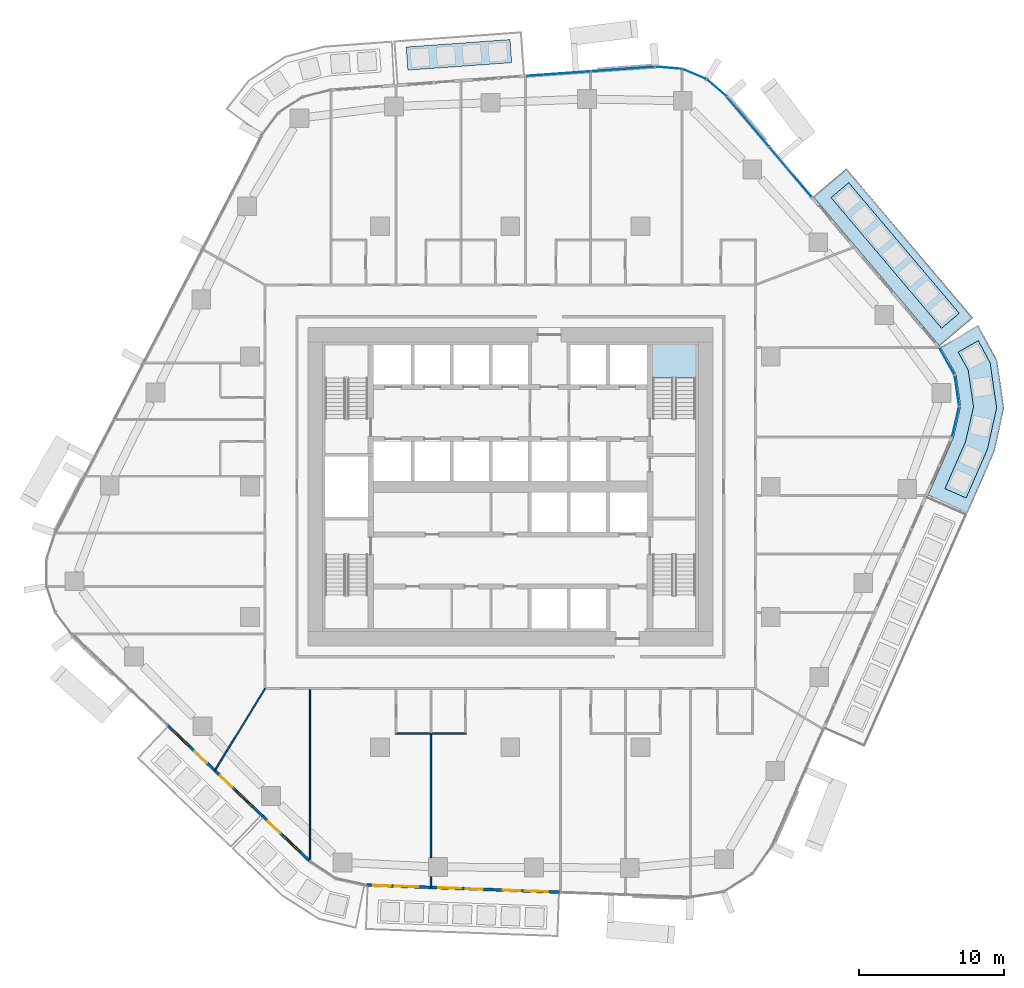
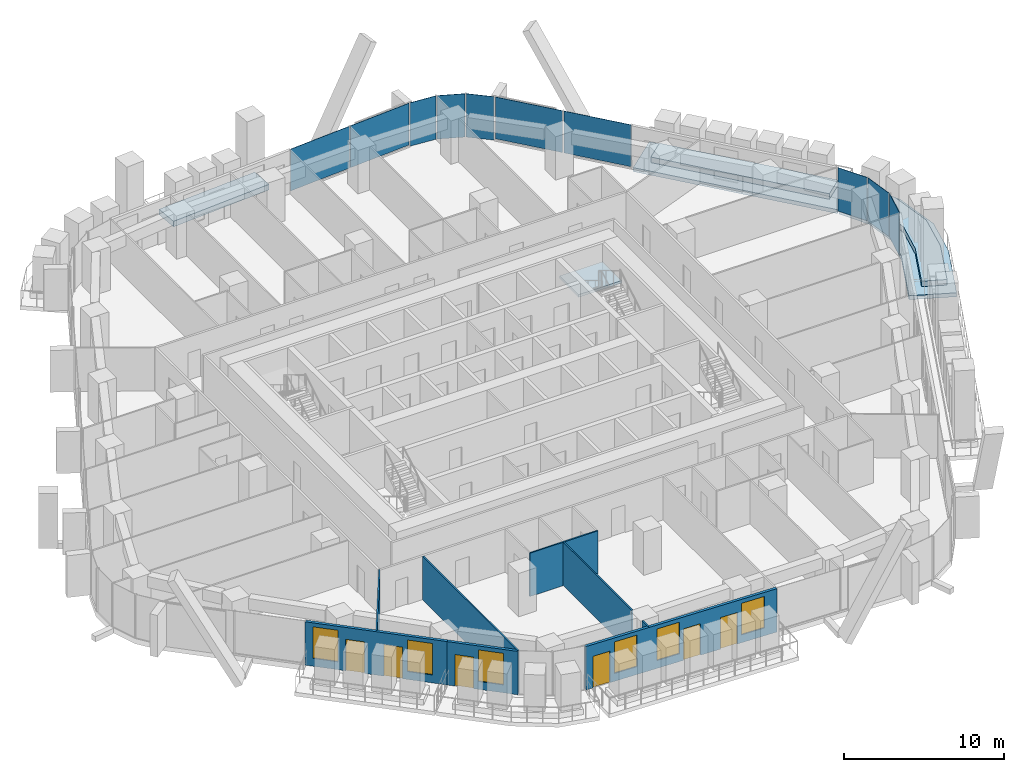
# One storey, part 11 of 24: 10 plates, 8 walls, 6 doors, 6 slabs, 6 windows, 12 openings, 5 elements without a shape of their own.
"""IFC4 building model written with IfcOpenShell, lengths in metres."""

from ifc_helpers import new_model, si_unit, direction, frame, frame_2d, origin, origin_2d, place, context, subcontext, project, spatial, polyline, rectangle, outline, extrude, material, layer, layer_set, type_object, element, fill, aggregate, save


model = new_model("IFC4")

# Units and contexts
model_context = context("Model", 3, precision=1e-05, world=origin(), true_north=direction((0.0, 1.0)))
body_context = subcontext(model_context, "Body", "Model", "MODEL_VIEW")
ifc_project = project(units=[si_unit("LENGTHUNIT", "METRE"), si_unit("AREAUNIT", "SQUARE_METRE"), si_unit("VOLUMEUNIT", "CUBIC_METRE"), si_unit("PLANEANGLEUNIT", "RADIAN"), si_unit("MASSUNIT", "GRAM", prefix="KILO")], contexts=[model_context])

# Site, building, storey
site_placement = place(None, origin())
site = spatial("IfcSite", under=ifc_project, at=site_placement, CompositionType="ELEMENT")
building_placement = place(site_placement, origin())
building = spatial("IfcBuilding", under=site, at=building_placement, Name="Dongbaek Canopy Tower", CompositionType="ELEMENT")
storey_placement = place(building_placement, frame((0.0, 0.0, 113.699951171875)))
storey = spatial("IfcBuildingStorey", under=building, at=storey_placement, Name="L24", CompositionType="ELEMENT", Elevation=113.699951171875)

# Slabs
ifc_material_1 = material(Name="Concrete C40/50", Category="concrete")
ifc_layer_1 = layer(ifc_material_1, 0.300048828125)
ifc_layer_set_1 = layer_set([ifc_layer_1], Name="Balcony slab 300")
slab_type_1 = type_object("IfcSlabType", Name="Balcony slab 300", PredefinedType="FLOOR", material=ifc_layer_set_1)
slab_1_placement = place(storey_placement, frame((0.0, 0.0, -0.300048828125)))
element("IfcSlab", 1, at=slab_1_placement, inside=storey, type_object=slab_type_1, Name="Balcony L24 1", PredefinedType="FLOOR", context=body_context, shape_type="SweptSolid", body=[
    extrude(outline(polyline([(29.67626953125, 9.7314453125), (20.938720703125, 20.0546875), (23.228515625, 21.99267578125), (31.966064453125, 11.669677734375), (29.67626953125, 9.7314453125)])), origin(), (0.0, 0.0, 1.0), 0.300048828125),
])
slab_2_placement = place(storey_placement, frame((0.0, 0.0, -0.300048828125)))
element("IfcSlab", 2, at=slab_2_placement, inside=storey, type_object=slab_type_1, Name="Balcony L24 6", PredefinedType="FLOOR", context=body_context, shape_type="SweptSolid", body=[
    extrude(outline(polyline([(28.859130859375, -0.596435546875), (30.619384765625, 3.397216796875), (31.123291015625, 5.561279296875), (30.80517578125, 7.760498046875), (29.733154296875, 9.649658203125), (32.342529296875, 11.13037109375), (33.6435546875, 8.732421875), (34.12060546875, 5.43359375), (33.465087890625, 2.44775390625), (31.6044921875, -1.806396484375), (28.859130859375, -0.596435546875)])), origin(), (0.0, 0.0, 1.0), 0.300048828125),
])

# Curtain wall, plates
ifc_material_2 = material(Name="Aluminium 6063-T6 pale anodised", Category="aluminium")
ifc_layer_2 = layer(ifc_material_2, 0.199951171875)
ifc_layer_set_2 = layer_set([ifc_layer_2], Name="CW-1 unitised tower curtain wall")
curtain_wall_type = type_object("IfcCurtainWallType", Name="CW-1 unitised tower curtain wall", PredefinedType="NOTDEFINED", material=ifc_layer_set_2)
curtain_wall_1_placement = place(storey_placement, origin())
curtain_wall_1 = element("IfcCurtainWall", 3, at=curtain_wall_1_placement, inside=storey, type_object=curtain_wall_type, Name="CW-1 curtain wall K0.1", PredefinedType="NOTDEFINED")
ifc_material_3 = material(Name="Clear laminated glass", Category="glass")
ifc_layer_3 = layer(ifc_material_3, 0.028076171875)
ifc_layer_set_3 = layer_set([ifc_layer_3], Name="CW-1 glazed panel 28")
plate_type = type_object("IfcPlateType", Name="CW-1 glazed panel 28", PredefinedType="CURTAIN_PANEL", material=ifc_layer_set_3)
plate_1_placement = place(storey_placement, frame((30.77294921875, 4.497314453125, 0.0), z_axis=(0.0, 0.0, 1.0), x_axis=(0.226863171729, 0.973926640622, 0.0)))
plate_1 = element("IfcPlate", 4, at=plate_1_placement, type_object=plate_type, Name="CW-1 panel K0.1.1.1", PredefinedType="CURTAIN_PANEL", context=body_context, shape_type="SweptSolid", body=[
    extrude(rectangle(XDim=2.10986328125, YDim=0.028076171875, at=origin_2d()), origin(), (0.0, 0.0, 1.0), 3.300048828125),
])
plate_2_placement = place(storey_placement, frame((30.865478515625, 6.646728515625, 0.0), z_axis=(0.0, 0.0, 1.0), x_axis=(-0.143155516293, 0.989700206201, 0.0)))
plate_2 = element("IfcPlate", 5, at=plate_2_placement, type_object=plate_type, Name="CW-1 panel K0.1.2.1", PredefinedType="CURTAIN_PANEL", context=body_context, shape_type="SweptSolid", body=[
    extrude(rectangle(XDim=2.100341796875, YDim=0.028076171875, at=origin_2d()), origin(), (0.0, 0.0, 1.0), 3.300048828125),
])
plate_3_placement = place(storey_placement, frame((30.167724609375, 8.681640625, 0.0), z_axis=(0.0, 0.0, 1.0), x_axis=(-0.493538616507, 0.869723883779, 0.0)))
plate_3 = element("IfcPlate", 6, at=plate_3_placement, type_object=plate_type, Name="CW-1 panel K0.1.3.1", PredefinedType="CURTAIN_PANEL", context=body_context, shape_type="SweptSolid", body=[
    extrude(rectangle(XDim=2.10986328125, YDim=0.028076171875, at=origin_2d()), origin(), (0.0, 0.0, 1.0), 3.300048828125),
])
aggregate(curtain_wall_1, [plate_1, plate_2, plate_3])

curtain_wall_2_placement = place(storey_placement, origin())
curtain_wall_2 = element("IfcCurtainWall", 7, at=curtain_wall_2_placement, inside=storey, type_object=curtain_wall_type, Name="CW-1 curtain wall F0.1", PredefinedType="NOTDEFINED")
plate_4_placement = place(storey_placement, frame((19.363037109375, 21.761474609375, 0.1201171875), z_axis=(0.0, 0.0, 1.0), x_axis=(-0.646056104712, 0.763289924972, 0.0)))
plate_4 = element("IfcPlate", 8, at=plate_4_placement, type_object=plate_type, Name="CW-1 panel F0.1.1.1", PredefinedType="CURTAIN_PANEL", context=body_context, shape_type="SweptSolid", body=[
    extrude(rectangle(XDim=4.45751953125, YDim=0.028076171875, at=origin_2d()), origin(), (0.0, 0.0, 1.0), 3.179931640625),
])
plate_5_placement = place(storey_placement, frame((16.431396484375, 25.224853515625, 0.1201171875), z_axis=(0.0, 0.0, 1.0), x_axis=(-0.646056104712, 0.763289924972, 0.0)))
plate_5 = element("IfcPlate", 9, at=plate_5_placement, type_object=plate_type, Name="CW-1 panel F0.1.2.1", PredefinedType="CURTAIN_PANEL", context=body_context, shape_type="SweptSolid", body=[
    extrude(rectangle(XDim=4.44970703125, YDim=0.028076171875, at=origin_2d()), origin(), (0.0, 0.0, 1.0), 3.179931640625),
])
aggregate(curtain_wall_2, [plate_4, plate_5])

curtain_wall_3_placement = place(storey_placement, origin())
curtain_wall_3 = element("IfcCurtainWall", 10, at=curtain_wall_3_placement, inside=storey, type_object=curtain_wall_type, Name="CW-1 curtain wall K1.1", PredefinedType="NOTDEFINED")
plate_6_placement = place(storey_placement, frame((14.266845703125, 27.55908203125, 0.0), z_axis=(0.0, 0.0, 1.0), x_axis=(-0.757258468525, 0.653115312825, 0.0)))
plate_6 = element("IfcPlate", 11, at=plate_6_placement, type_object=plate_type, Name="CW-1 panel K1.1.1.1", PredefinedType="CURTAIN_PANEL", context=body_context, shape_type="SweptSolid", body=[
    extrude(rectangle(XDim=1.76513671875, YDim=0.028076171875, at=origin_2d()), origin(), (0.0, 0.0, 1.0), 3.300048828125),
])
plate_7_placement = place(storey_placement, frame((12.71826171875, 28.519775390625, 0.0), z_axis=(0.0, 0.0, 1.0), x_axis=(-0.92172443786, 0.387845408186, 0.0)))
plate_7 = element("IfcPlate", 12, at=plate_7_placement, type_object=plate_type, Name="CW-1 panel K1.1.2.1", PredefinedType="CURTAIN_PANEL", context=body_context, shape_type="SweptSolid", body=[
    extrude(rectangle(XDim=1.757080078125, YDim=0.028076171875, at=origin_2d()), origin(), (0.0, 0.0, 1.0), 3.300048828125),
])
plate_8_placement = place(storey_placement, frame((10.948486328125, 28.955322265625, 0.0), z_axis=(0.0, 0.0, 1.0), x_axis=(-0.996398614139, 0.084792698641, 0.0)))
plate_8 = element("IfcPlate", 13, at=plate_8_placement, type_object=plate_type, Name="CW-1 panel K1.1.3.1", PredefinedType="CURTAIN_PANEL", context=body_context, shape_type="SweptSolid", body=[
    extrude(rectangle(XDim=1.76513671875, YDim=0.028076171875, at=origin_2d()), origin(), (0.0, 0.0, 1.0), 3.300048828125),
])
aggregate(curtain_wall_3, [plate_6, plate_7, plate_8])

curtain_wall_4_placement = place(storey_placement, origin())
curtain_wall_4 = element("IfcCurtainWall", 14, at=curtain_wall_4_placement, inside=storey, type_object=curtain_wall_type, Name="CW-1 curtain wall F1.1", PredefinedType="NOTDEFINED")
plate_9_placement = place(storey_placement, frame((7.7880859375, 28.87255859375, 0.1201171875), z_axis=(0.0, 0.0, 1.0), x_axis=(-0.997423165551, -0.071742796309, 0.0)))
plate_9 = element("IfcPlate", 15, at=plate_9_placement, type_object=plate_type, Name="CW-1 panel F1.1.1.1", PredefinedType="CURTAIN_PANEL", context=body_context, shape_type="SweptSolid", body=[
    extrude(rectangle(XDim=4.40576171875, YDim=0.028076171875, at=origin_2d()), origin(), (0.0, 0.0, 1.0), 3.179931640625),
])
plate_10_placement = place(storey_placement, frame((3.305908203125, 28.55029296875, 0.1201171875), z_axis=(0.0, 0.0, 1.0), x_axis=(-0.997423165551, -0.071742796309, 0.0)))
plate_10 = element("IfcPlate", 16, at=plate_10_placement, type_object=plate_type, Name="CW-1 panel F1.1.2.1", PredefinedType="CURTAIN_PANEL", context=body_context, shape_type="SweptSolid", body=[
    extrude(rectangle(XDim=4.41357421875, YDim=0.028076171875, at=origin_2d()), origin(), (0.0, 0.0, 1.0), 3.179931640625),
])
aggregate(curtain_wall_4, [plate_9, plate_10])

# Stair, slab
ifc_material_4 = material(Name="Concrete C40/50", Category="concrete")
stair_type = type_object("IfcStairType", Name="Core exit stair", PredefinedType="HALF_TURN_STAIR", material=ifc_material_4)
stair_placement = place(storey_placement, origin())
stair = element("IfcStair", 17, at=stair_placement, inside=storey, type_object=stair_type, Name="L24 exit stair A", PredefinedType="HALF_TURN_STAIR")
ifc_material_5 = material(Name="Concrete C40/50", Category="concrete")
ifc_layer_4 = layer(ifc_material_5, 0.199951171875)
ifc_layer_set_4 = layer_set([ifc_layer_4], Name="Core stair landing 200")
slab_type_2 = type_object("IfcSlabType", Name="Core stair landing 200", PredefinedType="LANDING", material=ifc_layer_set_4)
slab_3_placement = place(storey_placement, frame((0.0, 0.0, 1.650146484375)))
slab_3 = element("IfcSlab", 18, at=slab_3_placement, type_object=slab_type_2, Name="ST-A landing 1", PredefinedType="LANDING", context=body_context, shape_type="SweptSolid", body=[
    extrude(outline(polyline([(12.875, 7.5), (12.875, 9.875), (9.77490234375, 9.875), (9.77490234375, 7.5), (12.875, 7.5)])), origin(), (0.0, 0.0, 1.0), 0.199951171875),
])
aggregate(stair, [slab_3])

# Slabs
ifc_material_6 = material(Name="Reinforced concrete C40/50 planter box with soil", Category="concrete")
ifc_layer_5 = layer(ifc_material_6, 0.419921875)
ifc_layer_set_5 = layer_set([ifc_layer_5], Name="Terrace planter box 1600 x 420")
slab_type_3 = type_object("IfcSlabType", Name="Terrace planter box 1600 x 420", PredefinedType="USERDEFINED", material=ifc_layer_set_5)
slab_4_placement = place(storey_placement, origin())
element("IfcSlab", 19, at=slab_4_placement, inside=storey, type_object=slab_type_3, Name="Balcony planter L24 1", ObjectType="PLANTER", PredefinedType="USERDEFINED", context=body_context, shape_type="SweptSolid", body=[
    extrude(outline(polyline([(29.806396484375, 10.955078125), (22.167236328125, 19.980712890625), (23.388427734375, 21.014404296875), (31.02783203125, 11.98876953125), (29.806396484375, 10.955078125)])), origin(), (0.0, 0.0, 1.0), 0.420166015625),
])
slab_5_placement = place(storey_placement, origin())
element("IfcSlab", 20, at=slab_5_placement, inside=storey, type_object=slab_type_3, Name="Balcony planter L24 2", ObjectType="PLANTER", PredefinedType="USERDEFINED", context=body_context, shape_type="SweptSolid", body=[
    extrude(outline(polyline([(0.09423828125, 29.311767578125), (-7.08251953125, 28.795654296875), (-7.197265625, 30.391357421875), (-0.0205078125, 30.90771484375), (0.09423828125, 29.311767578125)])), origin(), (0.0, 0.0, 1.0), 0.420166015625),
])
slab_6_placement = place(storey_placement, origin())
element("IfcSlab", 21, at=slab_6_placement, inside=storey, type_object=slab_type_3, Name="Balcony planter L24 6", ObjectType="PLANTER", PredefinedType="USERDEFINED", context=body_context, shape_type="SweptSolid", body=[
    extrude(outline(polyline([(30.03662109375, -0.1318359375), (31.463623046875, 3.115478515625), (32.0126953125, 5.5234375), (31.647216796875, 8.048828125), (30.951416015625, 9.30615234375), (32.343017578125, 10.095947265625), (33.1611328125, 8.567138671875), (33.611083984375, 5.455322265625), (32.9814453125, 2.609130859375), (31.500732421875, -0.777099609375), (30.03662109375, -0.1318359375)])), origin(), (0.0, 0.0, 1.0), 0.420166015625),
])

# Walls
ifc_material_7 = material(Name="Gypsum board partition, steel stud, 2 x 12.5 mm board", Category="steel")
ifc_layer_6 = layer(ifc_material_7, 0.10009765625)
ifc_layer_set_6 = layer_set([ifc_layer_6], Name="Partition 100 gypsum board")
wall_type_1 = type_object("IfcWallType", Name="Partition 100 gypsum board", PredefinedType="PARTITIONING", material=ifc_layer_set_6)
wall_1_placement = place(storey_placement, frame((-7.941650390625, -17.050048828125, 0.0), z_axis=(0.0, 0.0, 1.0), x_axis=(1.0, 0.0, 0.0)))
element("IfcWall", 22, at=wall_1_placement, inside=storey, type_object=wall_type_1, Name="Partition", PredefinedType="PARTITIONING", context=body_context, shape_type="SweptSolid", body=[
    extrude(rectangle(XDim=4.900146484375, YDim=0.10009765625, at=frame_2d((2.4501953125, 0.0))), origin(), (0.0, 0.0, 1.0), 3.300048828125),
])
wall_2_placement = place(storey_placement, frame((-20.415283203125, -19.595703125, 0.0), z_axis=(0.0, 0.0, 1.0), x_axis=(0.5230874117, 0.85227903865, 0.0)))
element("IfcWall", 23, at=wall_2_placement, inside=storey, type_object=wall_type_1, Name="Partition", PredefinedType="PARTITIONING", context=body_context, shape_type="SweptSolid", body=[
    extrude(rectangle(XDim=6.624267578125, YDim=0.10009765625, at=frame_2d((3.31201171875, 0.0))), origin(), (0.0, 0.0, 1.0), 3.300048828125),
])
wall_3_placement = place(storey_placement, frame((-5.491943359375, -27.673095703125, 0.0), z_axis=(0.0, 0.0, 1.0), x_axis=(0.0, 1.0, 0.0)))
element("IfcWall", 24, at=wall_3_placement, inside=storey, type_object=wall_type_1, Name="Partition", PredefinedType="PARTITIONING", context=body_context, shape_type="SweptSolid", body=[
    extrude(rectangle(XDim=0.733154296875, YDim=0.10009765625, at=frame_2d((0.36669921875, 0.0))), origin(), (0.0, 0.0, 1.0), 3.300048828125),
])
wall_4_placement = place(storey_placement, frame((-5.491943359375, -25.639892578125, 0.0), z_axis=(0.0, 0.0, 1.0), x_axis=(0.0, 1.0, 0.0)))
element("IfcWall", 25, at=wall_4_placement, inside=storey, type_object=wall_type_1, Name="Partition", PredefinedType="PARTITIONING", context=body_context, shape_type="SweptSolid", body=[
    extrude(rectangle(XDim=8.539794921875, YDim=0.10009765625, at=frame_2d((4.27001953125, 0.0))), origin(), (0.0, 0.0, 1.0), 3.300048828125),
])
wall_5_placement = place(storey_placement, frame((-13.846923828125, -25.865234375, 0.0), z_axis=(0.0, 0.0, 1.0), x_axis=(0.0, 1.0, 0.0)))
element("IfcWall", 26, at=wall_5_placement, inside=storey, type_object=wall_type_1, Name="Partition", PredefinedType="PARTITIONING", context=body_context, shape_type="SweptSolid", body=[
    extrude(rectangle(XDim=11.84033203125, YDim=0.10009765625, at=frame_2d((5.920166015625, 0.0))), origin(), (0.0, 0.0, 1.0), 3.300048828125),
])

# Wall, openings, doors, windows
ifc_material_8 = material(Name="Aluminium window wall", Category="aluminium")
ifc_layer_7 = layer(ifc_material_8, 0.199951171875)
ifc_layer_set_7 = layer_set([ifc_layer_7], Name="Window wall 200")
wall_type_2 = type_object("IfcWallType", Name="Window wall 200", PredefinedType="SOLIDWALL", material=ifc_layer_set_7)
wall_6_placement = place(storey_placement, frame((-23.718017578125, -16.470703125, 0.0), z_axis=(0.0, 0.0, 1.0), x_axis=(0.723342757747, -0.690489141706, 0.0)))
wall_6 = element("IfcWall", 27, at=wall_6_placement, inside=storey, type_object=wall_type_2, Name="Window wall L24 3", PredefinedType="SOLIDWALL", context=body_context, shape_type="SweptSolid", body=[
    extrude(rectangle(XDim=9.103271484375, YDim=0.199951171875, at=frame_2d((4.5517578125, 0.0))), origin(), (0.0, 0.0, 1.0), 3.300048828125),
])
opening_1_placement = place(wall_6_placement, frame((0.5, 0.0, 0.60009765625)))
opening_1 = element("IfcOpeningElement", 28, at=opening_1_placement, cuts=wall_6, Name="Opening W1", PredefinedType="OPENING", context=body_context, shape_type="SweptSolid", body=[
    extrude(rectangle(XDim=1.60009765625, YDim=2.39990234375, at=frame_2d((0.800048828125, 1.199951171875))), frame((0.0, 0.10986328125, 0.0), z_axis=(0.0, -1.0, 0.0), x_axis=(1.0, 0.0, 0.0)), (0.0, 0.0, 1.0), 0.219970703125),
])
opening_2_placement = place(wall_6_placement, frame((2.60009765625, 0.0, 0.0)))
opening_2 = element("IfcOpeningElement", 29, at=opening_2_placement, cuts=wall_6, Name="Opening L24-B07", PredefinedType="OPENING", context=body_context, shape_type="SweptSolid", body=[
    extrude(rectangle(XDim=1.199951171875, YDim=2.39990234375, at=frame_2d((0.60009765625, 1.199951171875))), frame((0.0, 0.10986328125, 0.0), z_axis=(0.0, -1.0, 0.0), x_axis=(1.0, 0.0, 0.0)), (0.0, 0.0, 1.0), 0.219970703125),
])
opening_3_placement = place(wall_6_placement, frame((6.5517578125, 0.0, 0.60009765625)))
opening_3 = element("IfcOpeningElement", 30, at=opening_3_placement, cuts=wall_6, Name="Opening W1", PredefinedType="OPENING", context=body_context, shape_type="SweptSolid", body=[
    extrude(rectangle(XDim=1.60009765625, YDim=2.39990234375, at=frame_2d((0.800048828125, 1.199951171875))), frame((0.0, 0.10986328125, 0.0), z_axis=(0.0, -1.0, 0.0), x_axis=(1.0, 0.0, 0.0)), (0.0, 0.0, 1.0), 0.219970703125),
])
opening_4_placement = place(wall_6_placement, frame((5.0517578125, 0.0, 0.0)))
opening_4 = element("IfcOpeningElement", 31, at=opening_4_placement, cuts=wall_6, Name="Opening L24-B08", PredefinedType="OPENING", context=body_context, shape_type="SweptSolid", body=[
    extrude(rectangle(XDim=1.199951171875, YDim=2.39990234375, at=frame_2d((0.60009765625, 1.199951171875))), frame((0.0, 0.10986328125, 0.0), z_axis=(0.0, -1.0, 0.0), x_axis=(1.0, 0.0, 0.0)), (0.0, 0.0, 1.0), 0.219970703125),
])
ifc_material_9 = material(Name="Clear glazing in aluminium frame", Category="aluminium")
door_type = type_object("IfcDoorType", Name="Balcony door BD1 1200 x 2400", OperationType="SLIDING_TO_LEFT", PredefinedType="DOOR", material=ifc_material_9)
door_1_placement = place(opening_2_placement, origin())
door_1 = element("IfcDoor", 32, at=door_1_placement, inside=storey, type_object=door_type, Name="Balcony door L24-B07", OperationType="SLIDING_TO_LEFT", OverallHeight=2.39990234375, OverallWidth=1.199951171875, PredefinedType="DOOR", context=body_context, shape_type="SweptSolid", body=[
    extrude(rectangle(XDim=1.199951171875, YDim=2.39990234375, at=frame_2d((0.60009765625, 1.199951171875))), frame((0.0, 0.02490234375, 0.0), z_axis=(0.0, -1.0, 0.0), x_axis=(1.0, 0.0, 0.0)), (0.0, 0.0, 1.0), 0.050048828125),
])
fill(opening_2, door_1)
door_2_placement = place(opening_4_placement, origin())
door_2 = element("IfcDoor", 33, at=door_2_placement, inside=storey, type_object=door_type, Name="Balcony door L24-B08", OperationType="SLIDING_TO_LEFT", OverallHeight=2.39990234375, OverallWidth=1.199951171875, PredefinedType="DOOR", context=body_context, shape_type="SweptSolid", body=[
    extrude(rectangle(XDim=1.199951171875, YDim=2.39990234375, at=frame_2d((0.60009765625, 1.199951171875))), frame((0.0, 0.02490234375, 0.0), z_axis=(0.0, -1.0, 0.0), x_axis=(1.0, 0.0, 0.0)), (0.0, 0.0, 1.0), 0.050048828125),
])
fill(opening_4, door_2)
ifc_material_10 = material(Name="Clear glazing in aluminium frame", Category="aluminium")
window_type = type_object("IfcWindowType", Name="Window W1 1600 x 2400", PartitioningType="SINGLE_PANEL", PredefinedType="WINDOW", material=ifc_material_10)
window_1_placement = place(opening_1_placement, origin())
window_1 = element("IfcWindow", 34, at=window_1_placement, inside=storey, type_object=window_type, Name="Window L24 3.1", OverallHeight=2.39990234375, OverallWidth=1.60009765625, PartitioningType="SINGLE_PANEL", PredefinedType="WINDOW", context=body_context, shape_type="SweptSolid", body=[
    extrude(rectangle(XDim=1.60009765625, YDim=2.39990234375, at=frame_2d((0.800048828125, 1.199951171875))), frame((0.0, 0.030029296875, 0.0), z_axis=(0.0, -1.0, 0.0), x_axis=(1.0, 0.0, 0.0)), (0.0, 0.0, 1.0), 0.06005859375),
])
fill(opening_1, window_1)
window_2_placement = place(opening_3_placement, origin())
window_2 = element("IfcWindow", 35, at=window_2_placement, inside=storey, type_object=window_type, Name="Window L24 3.2", OverallHeight=2.39990234375, OverallWidth=1.60009765625, PartitioningType="SINGLE_PANEL", PredefinedType="WINDOW", context=body_context, shape_type="SweptSolid", body=[
    extrude(rectangle(XDim=1.60009765625, YDim=2.39990234375, at=frame_2d((0.800048828125, 1.199951171875))), frame((0.0, 0.030029296875, 0.0), z_axis=(0.0, -1.0, 0.0), x_axis=(1.0, 0.0, 0.0)), (0.0, 0.0, 1.0), 0.06005859375),
])
fill(opening_3, window_2)

# Wall, openings, door, window
wall_7_placement = place(storey_placement, frame((-17.13330078125, -22.75634765625, 0.0), z_axis=(0.0, 0.0, 1.0), x_axis=(0.723361644964, -0.69046935529, 0.0)))
wall_7 = element("IfcWall", 36, at=wall_7_placement, inside=storey, type_object=wall_type_2, Name="Window wall L24 8", PredefinedType="SOLIDWALL", context=body_context, shape_type="SweptSolid", body=[
    extrude(rectangle(XDim=4.54248046875, YDim=0.199951171875, at=frame_2d((2.271240234375, 0.0))), origin(), (0.0, 0.0, 1.0), 3.300048828125),
])
opening_5_placement = place(wall_7_placement, frame((2.0, 0.0, 0.60009765625)))
opening_5 = element("IfcOpeningElement", 37, at=opening_5_placement, cuts=wall_7, Name="Opening W1", PredefinedType="OPENING", context=body_context, shape_type="SweptSolid", body=[
    extrude(rectangle(XDim=1.60009765625, YDim=2.39990234375, at=frame_2d((0.800048828125, 1.199951171875))), frame((0.0, 0.10986328125, 0.0), z_axis=(0.0, -1.0, 0.0), x_axis=(1.0, 0.0, 0.0)), (0.0, 0.0, 1.0), 0.219970703125),
])
opening_6_placement = place(wall_7_placement, frame((0.5, 0.0, 0.0)))
opening_6 = element("IfcOpeningElement", 38, at=opening_6_placement, cuts=wall_7, Name="Opening L24-B09", PredefinedType="OPENING", context=body_context, shape_type="SweptSolid", body=[
    extrude(rectangle(XDim=1.199951171875, YDim=2.39990234375, at=frame_2d((0.60009765625, 1.199951171875))), frame((0.0, 0.10986328125, 0.0), z_axis=(0.0, -1.0, 0.0), x_axis=(1.0, 0.0, 0.0)), (0.0, 0.0, 1.0), 0.219970703125),
])
door_3_placement = place(opening_6_placement, origin())
door_3 = element("IfcDoor", 39, at=door_3_placement, inside=storey, type_object=door_type, Name="Balcony door L24-B09", OperationType="SLIDING_TO_LEFT", OverallHeight=2.39990234375, OverallWidth=1.199951171875, PredefinedType="DOOR", context=body_context, shape_type="SweptSolid", body=[
    extrude(rectangle(XDim=1.199951171875, YDim=2.39990234375, at=frame_2d((0.60009765625, 1.199951171875))), frame((0.0, 0.02490234375, 0.0), z_axis=(0.0, -1.0, 0.0), x_axis=(1.0, 0.0, 0.0)), (0.0, 0.0, 1.0), 0.050048828125),
])
fill(opening_6, door_3)
window_3_placement = place(opening_5_placement, origin())
window_3 = element("IfcWindow", 40, at=window_3_placement, inside=storey, type_object=window_type, Name="Window L24 8.1", OverallHeight=2.39990234375, OverallWidth=1.60009765625, PartitioningType="SINGLE_PANEL", PredefinedType="WINDOW", context=body_context, shape_type="SweptSolid", body=[
    extrude(rectangle(XDim=1.60009765625, YDim=2.39990234375, at=frame_2d((0.800048828125, 1.199951171875))), frame((0.0, 0.030029296875, 0.0), z_axis=(0.0, -1.0, 0.0), x_axis=(1.0, 0.0, 0.0)), (0.0, 0.0, 1.0), 0.06005859375),
])
fill(opening_5, window_3)

# Wall, openings, doors, windows
wall_8_placement = place(storey_placement, frame((-9.975341796875, -27.52783203125, 0.0), z_axis=(0.0, 0.0, 1.0), x_axis=(0.999319917794, -0.036874135924, 0.0)))
wall_8 = element("IfcWall", 41, at=wall_8_placement, inside=storey, type_object=wall_type_2, Name="Window wall L24 4", PredefinedType="SOLIDWALL", context=body_context, shape_type="SweptSolid", body=[
    extrude(rectangle(XDim=13.460205078125, YDim=0.199951171875, at=frame_2d((6.72998046875, 0.0))), origin(), (0.0, 0.0, 1.0), 3.300048828125),
])
opening_7_placement = place(wall_8_placement, frame((2.0, 0.0, 0.60009765625)))
opening_7 = element("IfcOpeningElement", 42, at=opening_7_placement, cuts=wall_8, Name="Opening W1", PredefinedType="OPENING", context=body_context, shape_type="SweptSolid", body=[
    extrude(rectangle(XDim=1.60009765625, YDim=2.39990234375, at=frame_2d((0.800048828125, 1.199951171875))), frame((0.0, 0.10986328125, 0.0), z_axis=(0.0, -1.0, 0.0), x_axis=(1.0, 0.0, 0.0)), (0.0, 0.0, 1.0), 0.219970703125),
])
opening_8_placement = place(wall_8_placement, frame((0.5, 0.0, 0.0)))
opening_8 = element("IfcOpeningElement", 43, at=opening_8_placement, cuts=wall_8, Name="Opening L24-B10", PredefinedType="OPENING", context=body_context, shape_type="SweptSolid", body=[
    extrude(rectangle(XDim=1.199951171875, YDim=2.39990234375, at=frame_2d((0.60009765625, 1.199951171875))), frame((0.0, 0.10986328125, 0.0), z_axis=(0.0, -1.0, 0.0), x_axis=(1.0, 0.0, 0.0)), (0.0, 0.0, 1.0), 0.219970703125),
])
opening_9_placement = place(wall_8_placement, frame((4.98681640625, 0.0, 0.60009765625)))
opening_9 = element("IfcOpeningElement", 44, at=opening_9_placement, cuts=wall_8, Name="Opening W1", PredefinedType="OPENING", context=body_context, shape_type="SweptSolid", body=[
    extrude(rectangle(XDim=1.60009765625, YDim=2.39990234375, at=frame_2d((0.800048828125, 1.199951171875))), frame((0.0, 0.10986328125, 0.0), z_axis=(0.0, -1.0, 0.0), x_axis=(1.0, 0.0, 0.0)), (0.0, 0.0, 1.0), 0.219970703125),
])
opening_10_placement = place(wall_8_placement, frame((6.88671875, 0.0, 0.0)))
opening_10 = element("IfcOpeningElement", 45, at=opening_10_placement, cuts=wall_8, Name="Opening L24-B11", PredefinedType="OPENING", context=body_context, shape_type="SweptSolid", body=[
    extrude(rectangle(XDim=1.199951171875, YDim=2.39990234375, at=frame_2d((0.60009765625, 1.199951171875))), frame((0.0, 0.10986328125, 0.0), z_axis=(0.0, -1.0, 0.0), x_axis=(1.0, 0.0, 0.0)), (0.0, 0.0, 1.0), 0.219970703125),
])
opening_11_placement = place(wall_8_placement, frame((10.9736328125, 0.0, 0.60009765625)))
opening_11 = element("IfcOpeningElement", 46, at=opening_11_placement, cuts=wall_8, Name="Opening W1", PredefinedType="OPENING", context=body_context, shape_type="SweptSolid", body=[
    extrude(rectangle(XDim=1.60009765625, YDim=2.39990234375, at=frame_2d((0.800048828125, 1.199951171875))), frame((0.0, 0.10986328125, 0.0), z_axis=(0.0, -1.0, 0.0), x_axis=(1.0, 0.0, 0.0)), (0.0, 0.0, 1.0), 0.219970703125),
])
opening_12_placement = place(wall_8_placement, frame((9.4736328125, 0.0, 0.0)))
opening_12 = element("IfcOpeningElement", 47, at=opening_12_placement, cuts=wall_8, Name="Opening L24-B12", PredefinedType="OPENING", context=body_context, shape_type="SweptSolid", body=[
    extrude(rectangle(XDim=1.199951171875, YDim=2.39990234375, at=frame_2d((0.60009765625, 1.199951171875))), frame((0.0, 0.10986328125, 0.0), z_axis=(0.0, -1.0, 0.0), x_axis=(1.0, 0.0, 0.0)), (0.0, 0.0, 1.0), 0.219970703125),
])
door_4_placement = place(opening_8_placement, origin())
door_4 = element("IfcDoor", 48, at=door_4_placement, inside=storey, type_object=door_type, Name="Balcony door L24-B10", OperationType="SLIDING_TO_LEFT", OverallHeight=2.39990234375, OverallWidth=1.199951171875, PredefinedType="DOOR", context=body_context, shape_type="SweptSolid", body=[
    extrude(rectangle(XDim=1.199951171875, YDim=2.39990234375, at=frame_2d((0.60009765625, 1.199951171875))), frame((0.0, 0.02490234375, 0.0), z_axis=(0.0, -1.0, 0.0), x_axis=(1.0, 0.0, 0.0)), (0.0, 0.0, 1.0), 0.050048828125),
])
fill(opening_8, door_4)
door_5_placement = place(opening_10_placement, origin())
door_5 = element("IfcDoor", 49, at=door_5_placement, inside=storey, type_object=door_type, Name="Balcony door L24-B11", OperationType="SLIDING_TO_LEFT", OverallHeight=2.39990234375, OverallWidth=1.199951171875, PredefinedType="DOOR", context=body_context, shape_type="SweptSolid", body=[
    extrude(rectangle(XDim=1.199951171875, YDim=2.39990234375, at=frame_2d((0.60009765625, 1.199951171875))), frame((0.0, 0.02490234375, 0.0), z_axis=(0.0, -1.0, 0.0), x_axis=(1.0, 0.0, 0.0)), (0.0, 0.0, 1.0), 0.050048828125),
])
fill(opening_10, door_5)
door_6_placement = place(opening_12_placement, origin())
door_6 = element("IfcDoor", 50, at=door_6_placement, inside=storey, type_object=door_type, Name="Balcony door L24-B12", OperationType="SLIDING_TO_LEFT", OverallHeight=2.39990234375, OverallWidth=1.199951171875, PredefinedType="DOOR", context=body_context, shape_type="SweptSolid", body=[
    extrude(rectangle(XDim=1.199951171875, YDim=2.39990234375, at=frame_2d((0.60009765625, 1.199951171875))), frame((0.0, 0.02490234375, 0.0), z_axis=(0.0, -1.0, 0.0), x_axis=(1.0, 0.0, 0.0)), (0.0, 0.0, 1.0), 0.050048828125),
])
fill(opening_12, door_6)
window_4_placement = place(opening_7_placement, origin())
window_4 = element("IfcWindow", 51, at=window_4_placement, inside=storey, type_object=window_type, Name="Window L24 4.1", OverallHeight=2.39990234375, OverallWidth=1.60009765625, PartitioningType="SINGLE_PANEL", PredefinedType="WINDOW", context=body_context, shape_type="SweptSolid", body=[
    extrude(rectangle(XDim=1.60009765625, YDim=2.39990234375, at=frame_2d((0.800048828125, 1.199951171875))), frame((0.0, 0.030029296875, 0.0), z_axis=(0.0, -1.0, 0.0), x_axis=(1.0, 0.0, 0.0)), (0.0, 0.0, 1.0), 0.06005859375),
])
fill(opening_7, window_4)
window_5_placement = place(opening_9_placement, origin())
window_5 = element("IfcWindow", 52, at=window_5_placement, inside=storey, type_object=window_type, Name="Window L24 4.2", OverallHeight=2.39990234375, OverallWidth=1.60009765625, PartitioningType="SINGLE_PANEL", PredefinedType="WINDOW", context=body_context, shape_type="SweptSolid", body=[
    extrude(rectangle(XDim=1.60009765625, YDim=2.39990234375, at=frame_2d((0.800048828125, 1.199951171875))), frame((0.0, 0.030029296875, 0.0), z_axis=(0.0, -1.0, 0.0), x_axis=(1.0, 0.0, 0.0)), (0.0, 0.0, 1.0), 0.06005859375),
])
fill(opening_9, window_5)
window_6_placement = place(opening_11_placement, origin())
window_6 = element("IfcWindow", 53, at=window_6_placement, inside=storey, type_object=window_type, Name="Window L24 4.3", OverallHeight=2.39990234375, OverallWidth=1.60009765625, PartitioningType="SINGLE_PANEL", PredefinedType="WINDOW", context=body_context, shape_type="SweptSolid", body=[
    extrude(rectangle(XDim=1.60009765625, YDim=2.39990234375, at=frame_2d((0.800048828125, 1.199951171875))), frame((0.0, 0.030029296875, 0.0), z_axis=(0.0, -1.0, 0.0), x_axis=(1.0, 0.0, 0.0)), (0.0, 0.0, 1.0), 0.06005859375),
])
fill(opening_11, window_6)

save(model, "model.ifc")
